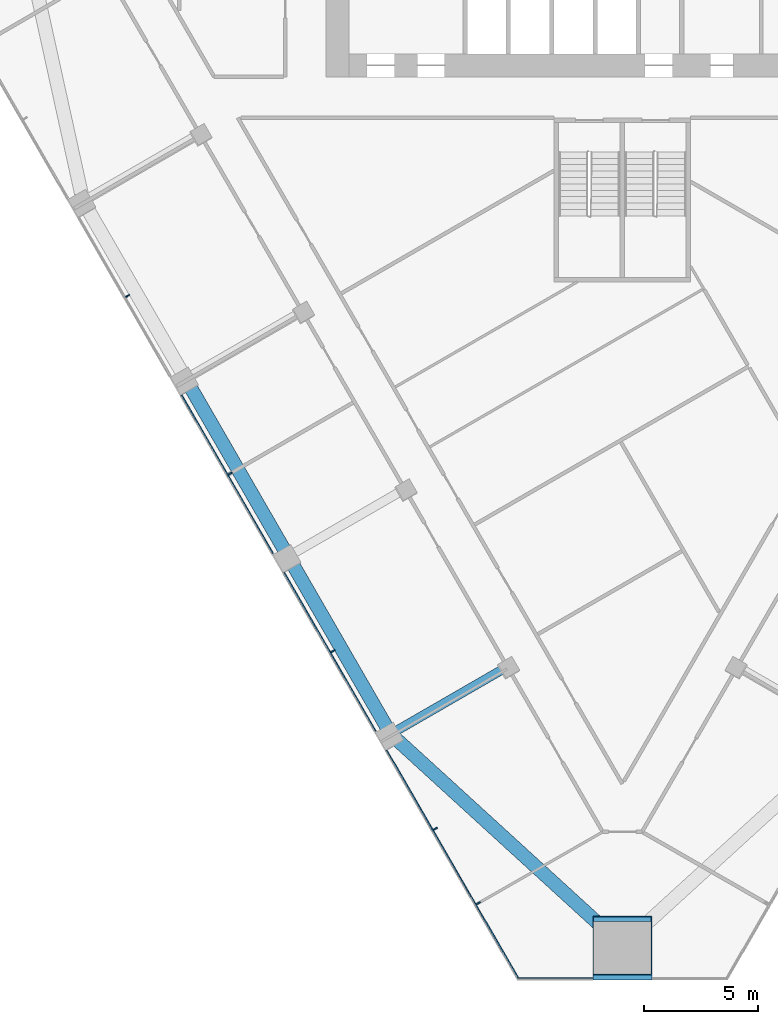
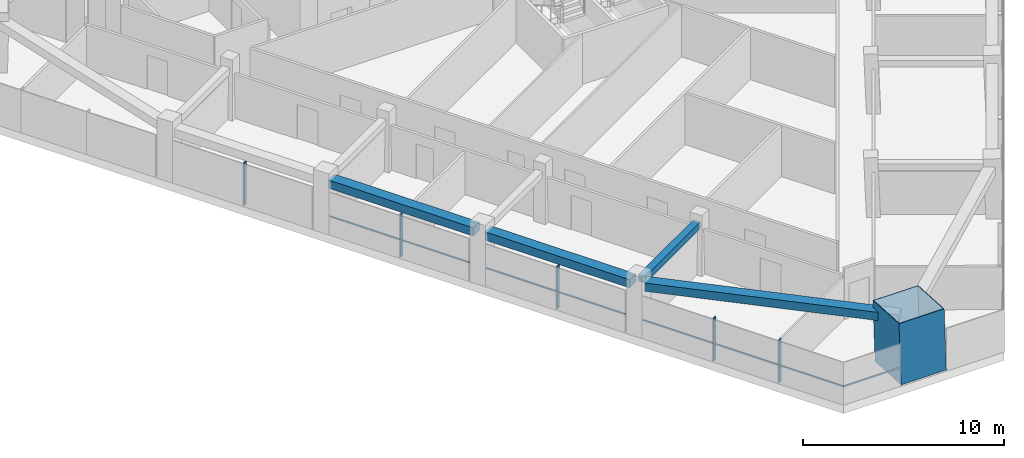
# One storey, part 2 of 14: 10 members, 4 beams, 2 elements without a shape of their own.
"""IFC4 building model written with IfcOpenShell, lengths in metres."""

from ifc_helpers import new_model, si_unit, direction, frame, origin, origin_2d, place, context, subcontext, project, spatial, rectangle, hollow_rectangle, extrude, material, layer, layer_set, material_profile, profile_set, type_object, element, aggregate, save


model = new_model("IFC4")

# Units and contexts
model_context = context("Model", 3, precision=1e-05, world=origin(), true_north=direction((0.0, 1.0)))
body_context = subcontext(model_context, "Body", "Model", "MODEL_VIEW")
ifc_project = project(units=[si_unit("LENGTHUNIT", "METRE"), si_unit("AREAUNIT", "SQUARE_METRE"), si_unit("VOLUMEUNIT", "CUBIC_METRE"), si_unit("PLANEANGLEUNIT", "RADIAN"), si_unit("MASSUNIT", "GRAM", prefix="KILO")], contexts=[model_context])

# Site, building, storey
site_placement = place(None, origin())
site = spatial("IfcSite", under=ifc_project, at=site_placement, CompositionType="ELEMENT")
building_placement = place(site_placement, origin())
building = spatial("IfcBuilding", under=site, at=building_placement, Name="Altiplano Prism Tower", CompositionType="ELEMENT")
storey_placement = place(building_placement, frame((0.0, 0.0, 63.0)))
storey = spatial("IfcBuildingStorey", under=building, at=storey_placement, Name="L15", CompositionType="ELEMENT", Elevation=63.0)

# Curtain wall, members
ifc_material_1 = material(Name="Aluminium and glass", Category="aluminium")
ifc_layer = layer(ifc_material_1, 0.303955078125)
ifc_layer_set = layer_set([ifc_layer], Name="Aluminium and glass")
curtain_wall_type = type_object("IfcCurtainWallType", Name="CW2 lounge-band unitised glazing", PredefinedType="NOTDEFINED", material=ifc_layer_set)
curtain_wall_1_placement = place(storey_placement, origin())
curtain_wall_1 = element("IfcCurtainWall", 1, at=curtain_wall_1_placement, inside=storey, type_object=curtain_wall_type, Name="CW2 curtain wall south-west face L15", PredefinedType="NOTDEFINED")
ifc_material_2 = material(Name="Aluminium", Category="aluminium")
ifc_material_profile_1 = material_profile(ifc_material_2, rectangle(XDim=0.199951171875, YDim=0.06005859375, at=origin_2d()), Name="CW2 mullion 60 x 200")
ifc_profile_set_1 = profile_set([ifc_material_profile_1], Name="Aluminium")
member_type_1 = type_object("IfcMemberType", Name="CW2 mullion 60 x 200", PredefinedType="MULLION", material=ifc_profile_set_1)
member_1_placement = place(storey_placement, frame((63.2900390625, 82.78173828125, 0.0), z_axis=(0.0, 0.0, 1.0), x_axis=(0.866025409928, 0.499999989359, 0.0)))
member_1 = element("IfcMember", 2, at=member_1_placement, type_object=member_type_1, Name="CW2 mullion", PredefinedType="MULLION", context=body_context, shape_type="SweptSolid", body=[
    extrude(rectangle(XDim=0.199951171875, YDim=0.06005859375, at=origin_2d()), origin(), (0.0, 0.0, 1.0), 2.60009765625),
])
member_2_placement = place(storey_placement, frame((67.7900390625, 74.987548828125, 0.0), z_axis=(0.0, 0.0, 1.0), x_axis=(0.866025409928, 0.499999989359, 0.0)))
member_2 = element("IfcMember", 3, at=member_2_placement, type_object=member_type_1, Name="CW2 mullion", PredefinedType="MULLION", context=body_context, shape_type="SweptSolid", body=[
    extrude(rectangle(XDim=0.199951171875, YDim=0.06005859375, at=origin_2d()), origin(), (0.0, 0.0, 1.0), 2.60009765625),
])
member_3_placement = place(storey_placement, frame((72.2900390625, 67.193115234375, 0.0), z_axis=(0.0, 0.0, 1.0), x_axis=(0.866025409928, 0.499999989359, 0.0)))
member_3 = element("IfcMember", 4, at=member_3_placement, type_object=member_type_1, Name="CW2 mullion", PredefinedType="MULLION", context=body_context, shape_type="SweptSolid", body=[
    extrude(rectangle(XDim=0.199951171875, YDim=0.06005859375, at=origin_2d()), origin(), (0.0, 0.0, 1.0), 2.60009765625),
])
member_4_placement = place(storey_placement, frame((76.7900390625, 59.39892578125, 0.0), z_axis=(0.0, 0.0, 1.0), x_axis=(0.866025409928, 0.499999989359, 0.0)))
member_4 = element("IfcMember", 5, at=member_4_placement, type_object=member_type_1, Name="CW2 mullion", PredefinedType="MULLION", context=body_context, shape_type="SweptSolid", body=[
    extrude(rectangle(XDim=0.199951171875, YDim=0.06005859375, at=origin_2d()), origin(), (0.0, 0.0, 1.0), 2.60009765625),
])
member_5_placement = place(storey_placement, frame((78.67578125, 56.1328125, 0.0), z_axis=(0.0, 0.0, 1.0), x_axis=(0.866025409928, 0.499999989359, 0.0)))
member_5 = element("IfcMember", 6, at=member_5_placement, type_object=member_type_1, Name="CW2 mullion", PredefinedType="MULLION", context=body_context, shape_type="SweptSolid", body=[
    extrude(rectangle(XDim=0.199951171875, YDim=0.06005859375, at=origin_2d()), origin(), (0.0, 0.0, 1.0), 2.60009765625),
])
ifc_material_profile_2 = material_profile(ifc_material_2, rectangle(XDim=0.06005859375, YDim=0.080078125, at=origin_2d()), Name="CW2 transom 80 x 60")
ifc_profile_set_2 = profile_set([ifc_material_profile_2], Name="Aluminium")
member_type_2 = type_object("IfcMemberType", Name="CW2 transom 80 x 60", PredefinedType="USERDEFINED", material=ifc_profile_set_2)
member_6_placement = place(storey_placement, frame((65.65283203125, 78.42919921875, 1.10009765625), z_axis=(0.499989486807, -0.866031473494, 0.0), x_axis=(0.866031473494, 0.499989486807, 0.0)))
member_6 = element("IfcMember", 7, at=member_6_placement, type_object=member_type_2, Name="CW2 transom", ObjectType="TRANSOM", PredefinedType="USERDEFINED", context=body_context, shape_type="SweptSolid", body=[
    extrude(rectangle(XDim=0.06005859375, YDim=0.080078125, at=origin_2d()), origin(), (0.0, 0.0, 1.0), 8.019775390625),
])
member_7_placement = place(storey_placement, frame((70.15283203125, 70.635009765625, 1.10009765625), z_axis=(0.499989486807, -0.866031473494, 0.0), x_axis=(0.866031473494, 0.499989486807, 0.0)))
member_7 = element("IfcMember", 8, at=member_7_placement, type_object=member_type_2, Name="CW2 transom", ObjectType="TRANSOM", PredefinedType="USERDEFINED", context=body_context, shape_type="SweptSolid", body=[
    extrude(rectangle(XDim=0.06005859375, YDim=0.080078125, at=origin_2d()), origin(), (0.0, 0.0, 1.0), 8.019775390625),
])
member_8_placement = place(storey_placement, frame((74.65283203125, 62.8408203125, 1.10009765625), z_axis=(0.499996518395, -0.86602741388, 0.0), x_axis=(0.86602741388, 0.499996518395, 0.0)))
member_8 = element("IfcMember", 9, at=member_8_placement, type_object=member_type_2, Name="CW2 transom", ObjectType="TRANSOM", PredefinedType="USERDEFINED", context=body_context, shape_type="SweptSolid", body=[
    extrude(rectangle(XDim=0.06005859375, YDim=0.080078125, at=origin_2d()), origin(), (0.0, 0.0, 1.0), 11.59228515625),
])
aggregate(curtain_wall_1, [member_1, member_2, member_6, member_3, member_7, member_4, member_5, member_8])

# Curtain wall, member
curtain_wall_2_placement = place(storey_placement, origin())
curtain_wall_2 = element("IfcCurtainWall", 10, at=curtain_wall_2_placement, inside=storey, type_object=curtain_wall_type, Name="CW2 curtain wall south chamfer L15", PredefinedType="NOTDEFINED")
member_9_placement = place(storey_placement, frame((80.384765625, 52.838623046875, 1.10009765625), z_axis=(1.0, 0.0, 0.0), x_axis=(0.0, 1.0, 0.0)))
member_9 = element("IfcMember", 11, at=member_9_placement, type_object=member_type_2, Name="CW2 transom", ObjectType="TRANSOM", PredefinedType="USERDEFINED", context=body_context, shape_type="SweptSolid", body=[
    extrude(rectangle(XDim=0.06005859375, YDim=0.080078125, at=origin_2d()), origin(), (0.0, 0.0, 1.0), 3.315185546875),
])
aggregate(curtain_wall_2, [member_9])

# Beams
ifc_material_3 = material(Name="Concrete C60/75", Category="concrete")
ifc_material_profile_3 = material_profile(ifc_material_3, rectangle(XDim=0.60009765625, YDim=0.5, at=origin_2d()), Name="Edge beam 600x500")
ifc_profile_set_3 = profile_set([ifc_material_profile_3], Name="Concrete C60/75")
beam_type_1 = type_object("IfcBeamType", Name="Edge beam 600x500", PredefinedType="SPANDREL", material=ifc_profile_set_3)
for number, where, z_axis, x_axis, name in (
    (12, (65.998046875, 78.8603515625, 2.85009765625), (0.499992746786, -0.866029591389, 0.0), (0.866029591389, 0.499992746786, 0.0), "Edge beam P12-P13 L16"),
    (13, (70.498046875, 71.066162109375, 2.85009765625), (0.499992746786, -0.866029591389, 0.0), (0.866029591389, 0.499992746786, 0.0), "Edge beam P13-P14 L16"),
):
    element("IfcBeam", number, at=place(storey_placement, frame(where, z_axis=z_axis, x_axis=x_axis)), inside=storey, type_object=beam_type_1, Name=name, PredefinedType="SPANDREL", context=body_context, shape_type="SweptSolid", body=[
        extrude(rectangle(XDim=0.60009765625, YDim=0.5, at=origin_2d()), origin(), (0.0, 0.0, 1.0), 8.33984375),
    ])
beam_1_placement = place(storey_placement, frame((75.093017578125, 63.3203125, 2.85009765625), z_axis=(0.73849242427, -0.674261773569, 0.0), x_axis=(0.674261773569, 0.73849242427, 0.0)))
element("IfcBeam", 14, at=beam_1_placement, inside=storey, type_object=beam_type_1, Name="Edge beam P14-M1 L16", PredefinedType="SPANDREL", context=body_context, shape_type="SweptSolid", body=[
    extrude(rectangle(XDim=0.60009765625, YDim=0.5, at=origin_2d()), origin(), (0.0, 0.0, 1.0), 12.965087890625),
])

# Member
ifc_material_4 = material(Name="Steel S460", Category="steel")
ifc_material_profile_4 = material_profile(ifc_material_4, hollow_rectangle(XDim=2.60009765625, YDim=2.60009765625, WallThickness=0.0400390625, at=origin_2d()), Name="Mega column tube 2600")
ifc_profile_set_4 = profile_set([ifc_material_profile_4], Name="Steel S460")
member_type_3 = type_object("IfcMemberType", Name="Mega column tube 2600", PredefinedType="POST", material=ifc_profile_set_4)
member_10_placement = place(storey_placement, frame((85.0, 54.064697265625, 0.0), z_axis=(0.0, 0.058356907999, 0.998295783467), x_axis=(-1.0, 0.0, 0.0)))
element("IfcMember", 15, at=member_10_placement, inside=storey, type_object=member_type_3, Name="Mega column tube M1 L15", PredefinedType="POST", context=body_context, shape_type="SweptSolid", body=[
    extrude(hollow_rectangle(XDim=2.60009765625, YDim=2.60009765625, WallThickness=0.0400390625, at=origin_2d()), origin(), (0.0, 0.0, 1.0), 3.606201171875),
])

# Beam
ifc_material_profile_5 = material_profile(ifc_material_3, rectangle(XDim=0.39990234375, YDim=0.39990234375, at=origin_2d()), Name="Tie beam 400x400")
ifc_profile_set_5 = profile_set([ifc_material_profile_5], Name="Concrete C60/75")
beam_type_2 = type_object("IfcBeamType", Name="Tie beam 400x400", PredefinedType="BEAM", material=ifc_profile_set_5)
beam_2_placement = place(storey_placement, frame((79.873291015625, 66.4677734375, 2.89990234375), z_axis=(-0.866012292785, -0.50002270823, 0.0), x_axis=(0.50002270823, -0.866012292785, 0.0)))
element("IfcBeam", 16, at=beam_2_placement, inside=storey, type_object=beam_type_2, Name="Tie beam I14 L16", PredefinedType="BEAM", context=body_context, shape_type="SweptSolid", body=[
    extrude(rectangle(XDim=0.39990234375, YDim=0.39990234375, at=origin_2d()), origin(), (0.0, 0.0, 1.0), 5.489990234375),
])

save(model, "model.ifc")
